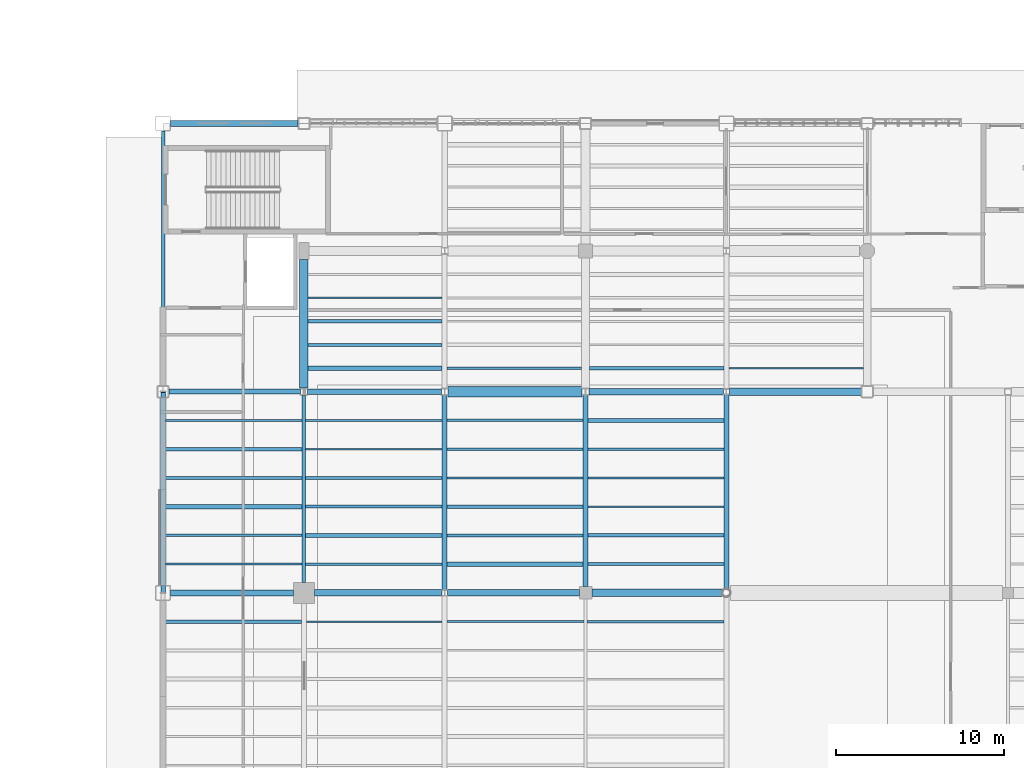
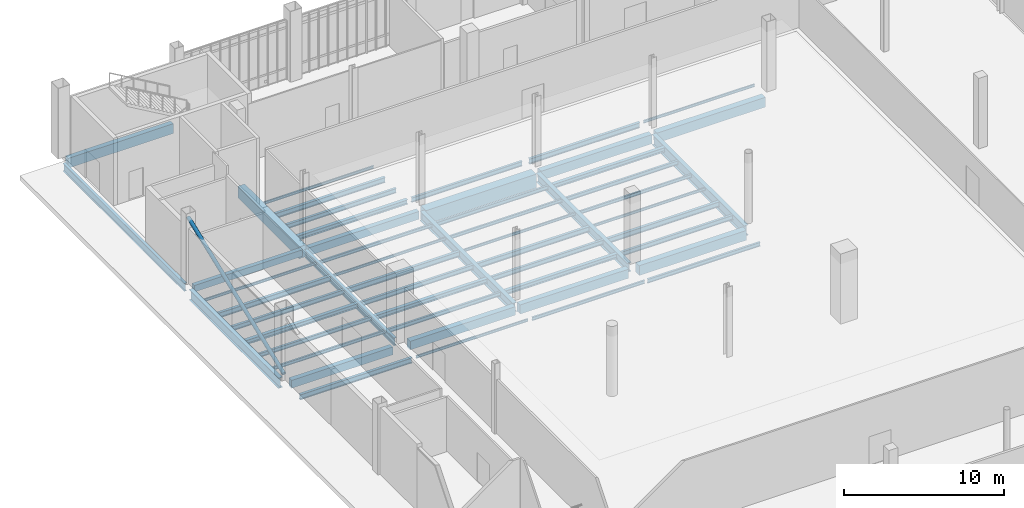
# One storey, part 24 of 111: 52 beams, 1 member.
"""IFC4 building model written with IfcOpenShell, lengths in metres."""

from ifc_helpers import new_model, si_unit, direction, frame, origin, origin_2d, place, context, subcontext, project, spatial, rectangle, hollow_circle, i_section, extrude, material, material_profile, profile_set, type_object, element, save


model = new_model("IFC4")

# Units and contexts
model_context = context("Model", 3, precision=1e-05, world=origin(), true_north=direction((0.0, 1.0)))
body_context = subcontext(model_context, "Body", "Model", "MODEL_VIEW")
ifc_project = project(units=[si_unit("LENGTHUNIT", "METRE"), si_unit("AREAUNIT", "SQUARE_METRE"), si_unit("VOLUMEUNIT", "CUBIC_METRE"), si_unit("PLANEANGLEUNIT", "RADIAN"), si_unit("MASSUNIT", "GRAM", prefix="KILO")], contexts=[model_context])

# Site, building, storey
site_placement = place(None, origin())
site = spatial("IfcSite", under=ifc_project, at=site_placement, CompositionType="ELEMENT")
building_placement = place(site_placement, origin())
building = spatial("IfcBuilding", under=site, at=building_placement, Name="Larkvane Passage Sports Hall", CompositionType="ELEMENT")
storey_placement = place(building_placement, origin())
storey = spatial("IfcBuildingStorey", under=building, at=storey_placement, Name="L00", CompositionType="ELEMENT", Elevation=0.0)

# Beams
ifc_material_1 = material(Name="Concrete C40/50", Category="concrete")
ifc_material_profile_1 = material_profile(ifc_material_1, rectangle(XDim=0.300048828125, YDim=0.5, at=origin_2d()), Name="RC-BM-300x500")
ifc_profile_set_1 = profile_set([ifc_material_profile_1], Name="Concrete C40/50")
beam_type_1 = type_object("IfcBeamType", Name="BM-RC-300x500", PredefinedType="BEAM", material=ifc_profile_set_1)
beam_1_placement = place(storey_placement, frame((35.14990234375, 75.60009765625, -0.669921875), z_axis=(1.0, 0.0, 0.0), x_axis=(0.0, 1.0, 0.0)))
element("IfcBeam", 1, at=beam_1_placement, inside=storey, type_object=beam_type_1, Name="Girder BM5-X-L00-J-0053", PredefinedType="BEAM", context=body_context, shape_type="SweptSolid", body=[
    extrude(rectangle(XDim=0.300048828125, YDim=0.5, at=origin_2d()), origin(), (0.0, 0.0, 1.0), 7.8466796875),
])
ifc_material_profile_2 = material_profile(ifc_material_1, rectangle(XDim=0.35009765625, YDim=0.60009765625, at=origin_2d()), Name="RC-BM-350x600")
ifc_profile_set_2 = profile_set([ifc_material_profile_2], Name="Concrete C40/50")
beam_type_2 = type_object("IfcBeamType", Name="BM-RC-350x600", PredefinedType="BEAM", material=ifc_profile_set_2)
beam_2_placement = place(storey_placement, frame((35.25, 63.60009765625, -0.719970703125), z_axis=(1.0, 0.0, 0.0), x_axis=(0.0, 1.0, 0.0)))
element("IfcBeam", 2, at=beam_2_placement, inside=storey, type_object=beam_type_2, Name="Girder BM5-X-L00-H-0041", PredefinedType="BEAM", context=body_context, shape_type="SweptSolid", body=[
    extrude(rectangle(XDim=0.35009765625, YDim=0.60009765625, at=origin_2d()), origin(), (0.0, 0.0, 1.0), 7.324951171875),
])
beam_3_placement = place(storey_placement, frame((43.403564453125, 75.60009765625, -0.719970703125), z_axis=(1.0, 0.0, 0.0), x_axis=(0.0, 1.0, 0.0)))
element("IfcBeam", 3, at=beam_3_placement, inside=storey, type_object=beam_type_2, Name="Girder BM5-X-L00-J-0054", PredefinedType="BEAM", context=body_context, shape_type="SweptSolid", body=[
    extrude(rectangle(XDim=0.35009765625, YDim=0.60009765625, at=origin_2d()), origin(), (0.0, 0.0, 1.0), 7.993896484375),
])
ifc_material_profile_3 = material_profile(ifc_material_1, rectangle(XDim=0.39990234375, YDim=0.64990234375, at=origin_2d()), Name="RC-BM-400x650")
ifc_profile_set_3 = profile_set([ifc_material_profile_3], Name="Concrete C40/50")
beam_type_3 = type_object("IfcBeamType", Name="BM-RC-400x650", PredefinedType="BEAM", material=ifc_profile_set_3)
beam_4_placement = place(storey_placement, frame((43.824951171875, 63.60009765625, -0.7451171875), z_axis=(1.0, 0.0, 0.0), x_axis=(0.0, 1.0, 0.0)))
element("IfcBeam", 4, at=beam_4_placement, inside=storey, type_object=beam_type_3, Name="Girder BM5-X-L00-H-0042", PredefinedType="BEAM", context=body_context, shape_type="SweptSolid", body=[
    extrude(rectangle(XDim=0.39990234375, YDim=0.64990234375, at=origin_2d()), origin(), (0.0, 0.0, 1.0), 7.60009765625),
])
ifc_material_profile_4 = material_profile(ifc_material_1, rectangle(XDim=0.39990234375, YDim=0.699951171875, at=origin_2d()), Name="RC-BM-400x700")
ifc_profile_set_4 = profile_set([ifc_material_profile_4], Name="Concrete C40/50")
beam_type_4 = type_object("IfcBeamType", Name="BM-RC-400x700", PredefinedType="BEAM", material=ifc_profile_set_4)
beam_5_placement = place(storey_placement, frame((51.77490234375, 63.60009765625, -0.77001953125), z_axis=(1.0, 0.0, 0.0), x_axis=(0.0, 1.0, 0.0)))
element("IfcBeam", 5, at=beam_5_placement, inside=storey, type_object=beam_type_4, Name="Girder BM5-X-L00-H-0043", PredefinedType="BEAM", context=body_context, shape_type="SweptSolid", body=[
    extrude(rectangle(XDim=0.39990234375, YDim=0.699951171875, at=origin_2d()), origin(), (0.0, 0.0, 1.0), 7.85009765625),
])
beam_6_placement = place(storey_placement, frame((60.199951171875, 75.60009765625, -0.77001953125), z_axis=(1.0, 0.0, 0.0), x_axis=(0.0, 1.0, 0.0)))
element("IfcBeam", 6, at=beam_6_placement, inside=storey, type_object=beam_type_4, Name="Girder BM5-X-L00-J-0056", PredefinedType="BEAM", context=body_context, shape_type="SweptSolid", body=[
    extrude(rectangle(XDim=0.39990234375, YDim=0.699951171875, at=origin_2d()), origin(), (0.0, 0.0, 1.0), 8.025146484375),
])
ifc_material_profile_5 = material_profile(ifc_material_1, rectangle(XDim=0.449951171875, YDim=0.75, at=origin_2d()), Name="RC-BM-450x750")
ifc_profile_set_5 = profile_set([ifc_material_profile_5], Name="Concrete C40/50")
beam_type_5 = type_object("IfcBeamType", Name="BM-RC-450x750", PredefinedType="BEAM", material=ifc_profile_set_5)
beam_7_placement = place(storey_placement, frame((60.375, 63.60009765625, -0.794921875), z_axis=(1.0, 0.0, 0.0), x_axis=(0.0, 1.0, 0.0)))
element("IfcBeam", 7, at=beam_7_placement, inside=storey, type_object=beam_type_5, Name="Girder BM5-X-L00-H-0044", PredefinedType="BEAM", context=body_context, shape_type="SweptSolid", body=[
    extrude(rectangle(XDim=0.449951171875, YDim=0.75, at=origin_2d()), origin(), (0.0, 0.0, 1.0), 7.77099609375),
])
beam_8_placement = place(storey_placement, frame((68.574951171875, 75.60009765625, -0.794921875), z_axis=(1.0, 0.0, 0.0), x_axis=(0.0, 1.0, 0.0)))
element("IfcBeam", 8, at=beam_8_placement, inside=storey, type_object=beam_type_5, Name="Girder BM5-X-L00-J-0057", PredefinedType="BEAM", context=body_context, shape_type="SweptSolid", body=[
    extrude(rectangle(XDim=0.449951171875, YDim=0.75, at=origin_2d()), origin(), (0.0, 0.0, 1.0), 7.875),
])
ifc_material_profile_6 = material_profile(ifc_material_1, rectangle(XDim=0.5, YDim=0.89990234375, at=origin_2d()), Name="RC-BM-500x900")
ifc_profile_set_6 = profile_set([ifc_material_profile_6], Name="Concrete C40/50")
beam_type_6 = type_object("IfcBeamType", Name="BM-RC-500x900", PredefinedType="BEAM", material=ifc_profile_set_6)
beam_9_placement = place(storey_placement, frame((43.199951171875, 75.81396484375, -0.8701171875), z_axis=(0.0, 1.0, 0.0), x_axis=(-1.0, 0.0, 0.0)))
element("IfcBeam", 9, at=beam_9_placement, inside=storey, type_object=beam_type_6, Name="Girder BM5-Y-L00-7-0086", PredefinedType="BEAM", context=body_context, shape_type="SweptSolid", body=[
    extrude(rectangle(XDim=0.5, YDim=0.89990234375, at=origin_2d()), origin(), (0.0, 0.0, 1.0), 7.68603515625),
])
ifc_material_2 = material(Name="Steel S355JR", Category="steel")
ifc_material_profile_7 = material_profile(ifc_material_2, i_section(OverallWidth=0.199951171875, OverallDepth=0.60009765625, WebThickness=0.010986328125, FlangeThickness=0.01708984375, FilletRadius=0.01806640625, at=origin_2d()), Name="H-600x200x11x17")
ifc_profile_set_7 = profile_set([ifc_material_profile_7], Name="Steel S355JR")
beam_type_7 = type_object("IfcBeamType", Name="BM-STL-H600", PredefinedType="BEAM", material=ifc_profile_set_7)
beam_10_placement = place(storey_placement, frame((34.800048828125, 75.949951171875, -0.719970703125), z_axis=(0.0, 1.0, 0.0), x_axis=(-1.0, 0.0, 0.0)))
element("IfcBeam", 10, at=beam_10_placement, inside=storey, type_object=beam_type_7, Name="Girder BM5-Y-L00-6-0081", PredefinedType="BEAM", context=body_context, shape_type="SweptSolid", body=[
    extrude(i_section(OverallWidth=0.199951171875, OverallDepth=0.60009765625, WebThickness=0.010986328125, FlangeThickness=0.01708984375, FilletRadius=0.01806640625, at=origin_2d()), origin(), (0.0, 0.0, 1.0), 15.199951171875),
])
beam_11_placement = place(storey_placement, frame((43.199951171875, 64.22509765625, -0.719970703125), z_axis=(0.0, 1.0, 0.0), x_axis=(-1.0, 0.0, 0.0)))
element("IfcBeam", 11, at=beam_11_placement, inside=storey, type_object=beam_type_7, Name="Girder BM5-Y-L00-7-0085", PredefinedType="BEAM", context=body_context, shape_type="SweptSolid", body=[
    extrude(i_section(OverallWidth=0.199951171875, OverallDepth=0.60009765625, WebThickness=0.010986328125, FlangeThickness=0.01708984375, FilletRadius=0.01806640625, at=origin_2d()), origin(), (0.0, 0.0, 1.0), 11.160888671875),
])
ifc_material_3 = material(Name="Steel S460N", Category="steel")
ifc_material_profile_8 = material_profile(ifc_material_3, i_section(OverallWidth=0.300048828125, OverallDepth=0.69189453125, WebThickness=0.012939453125, FlangeThickness=0.02001953125, FilletRadius=0.02197265625, at=origin_2d()), Name="H-692x300x13x20")
ifc_profile_set_8 = profile_set([ifc_material_profile_8], Name="Steel S460N")
beam_type_8 = type_object("IfcBeamType", Name="BM-STL-H692", PredefinedType="BEAM", material=ifc_profile_set_8)
beam_12_placement = place(storey_placement, frame((60.0, 63.97509765625, -0.76611328125), z_axis=(0.0, 1.0, 0.0), x_axis=(-1.0, 0.0, 0.0)))
element("IfcBeam", 12, at=beam_12_placement, inside=storey, type_object=beam_type_8, Name="Girder BM5-Y-L00-9-0098", PredefinedType="BEAM", context=body_context, shape_type="SweptSolid", body=[
    extrude(i_section(OverallWidth=0.300048828125, OverallDepth=0.69189453125, WebThickness=0.012939453125, FlangeThickness=0.02001953125, FilletRadius=0.02197265625, at=origin_2d()), origin(), (0.0, 0.0, 1.0), 11.4248046875),
])
ifc_material_profile_9 = material_profile(ifc_material_3, i_section(OverallWidth=0.300048828125, OverallDepth=0.699951171875, WebThickness=0.012939453125, FlangeThickness=0.02392578125, FilletRadius=0.02197265625, at=origin_2d()), Name="H-700x300x13x24")
ifc_profile_set_9 = profile_set([ifc_material_profile_9], Name="Steel S460N")
beam_type_9 = type_object("IfcBeamType", Name="BM-STL-H700", PredefinedType="BEAM", material=ifc_profile_set_9)
beam_13_placement = place(storey_placement, frame((51.60009765625, 63.77490234375, -0.77001953125), z_axis=(0.0, 1.0, 0.0), x_axis=(-1.0, 0.0, 0.0)))
element("IfcBeam", 13, at=beam_13_placement, inside=storey, type_object=beam_type_9, Name="Girder BM5-Y-L00-8-0091", PredefinedType="BEAM", context=body_context, shape_type="SweptSolid", body=[
    extrude(i_section(OverallWidth=0.300048828125, OverallDepth=0.699951171875, WebThickness=0.012939453125, FlangeThickness=0.02392578125, FilletRadius=0.02197265625, at=origin_2d()), origin(), (0.0, 0.0, 1.0), 11.6181640625),
])
ifc_material_profile_10 = material_profile(ifc_material_3, i_section(OverallWidth=0.300048828125, OverallDepth=0.7919921875, WebThickness=0.013916015625, FlangeThickness=0.02197265625, FilletRadius=0.02197265625, at=origin_2d()), Name="H-792x300x14x22")
ifc_profile_set_10 = profile_set([ifc_material_profile_10], Name="Steel S460N")
beam_type_10 = type_object("IfcBeamType", Name="BM-STL-H792", PredefinedType="BEAM", material=ifc_profile_set_10)
beam_14_placement = place(storey_placement, frame((34.800048828125, 64.050048828125, -0.81591796875), z_axis=(0.0, 1.0, 0.0), x_axis=(-1.0, 0.0, 0.0)))
element("IfcBeam", 14, at=beam_14_placement, inside=storey, type_object=beam_type_10, Name="Girder BM5-Y-L00-6-0080", PredefinedType="BEAM", context=body_context, shape_type="SweptSolid", body=[
    extrude(i_section(OverallWidth=0.300048828125, OverallDepth=0.7919921875, WebThickness=0.013916015625, FlangeThickness=0.02197265625, FilletRadius=0.02197265625, at=origin_2d()), origin(), (0.0, 0.0, 1.0), 11.199951171875),
])
beam_15_placement = place(storey_placement, frame((68.39990234375, 63.85400390625, -0.81591796875), z_axis=(0.0, 1.0, 0.0), x_axis=(-1.0, 0.0, 0.0)))
element("IfcBeam", 15, at=beam_15_placement, inside=storey, type_object=beam_type_10, Name="Girder BM5-Y-L00-10-0104", PredefinedType="BEAM", context=body_context, shape_type="SweptSolid", body=[
    extrude(i_section(OverallWidth=0.300048828125, OverallDepth=0.7919921875, WebThickness=0.013916015625, FlangeThickness=0.02197265625, FilletRadius=0.02197265625, at=origin_2d()), origin(), (0.0, 0.0, 1.0), 11.571044921875),
])
ifc_material_profile_11 = material_profile(ifc_material_2, i_section(OverallWidth=0.10009765625, OverallDepth=0.199951171875, WebThickness=0.005615234375, FlangeThickness=0.008056640625, FilletRadius=0.008056640625, at=origin_2d()), Name="H-200x100x5.5x8")
ifc_profile_set_11 = profile_set([ifc_material_profile_11], Name="Steel S355JR")
beam_type_11 = type_object("IfcBeamType", Name="JST-STL-H200", PredefinedType="JOIST", material=ifc_profile_set_11)
beam_16_placement = place(storey_placement, frame((34.949951171875, 73.8857421875, -0.52001953125), z_axis=(1.0, 0.0, 0.0), x_axis=(0.0, 1.0, 0.0)))
element("IfcBeam", 16, at=beam_16_placement, inside=storey, type_object=beam_type_11, Name="Composite joist L00 6/H-6", PredefinedType="JOIST", context=body_context, shape_type="SweptSolid", body=[
    extrude(i_section(OverallWidth=0.10009765625, OverallDepth=0.199951171875, WebThickness=0.005615234375, FlangeThickness=0.008056640625, FilletRadius=0.008056640625, at=origin_2d()), origin(), (0.0, 0.0, 1.0), 8.150146484375),
])
beam_17_placement = place(storey_placement, frame((43.35009765625, 61.8857421875, -0.52001953125), z_axis=(1.0, 0.0, 0.0), x_axis=(0.0, 1.0, 0.0)))
element("IfcBeam", 17, at=beam_17_placement, inside=storey, type_object=beam_type_11, Name="Composite joist L00 7/G-6", PredefinedType="JOIST", context=body_context, shape_type="SweptSolid", body=[
    extrude(i_section(OverallWidth=0.10009765625, OverallDepth=0.199951171875, WebThickness=0.005615234375, FlangeThickness=0.008056640625, FilletRadius=0.008056640625, at=origin_2d()), origin(), (0.0, 0.0, 1.0), 8.099853515625),
])
beam_18_placement = place(storey_placement, frame((43.300048828125, 72.17138671875, -0.52001953125), z_axis=(1.0, 0.0, 0.0), x_axis=(0.0, 1.0, 0.0)))
element("IfcBeam", 18, at=beam_18_placement, inside=storey, type_object=beam_type_11, Name="Composite joist L00 7/H-5", PredefinedType="JOIST", context=body_context, shape_type="SweptSolid", body=[
    extrude(i_section(OverallWidth=0.10009765625, OverallDepth=0.199951171875, WebThickness=0.005615234375, FlangeThickness=0.008056640625, FilletRadius=0.008056640625, at=origin_2d()), origin(), (0.0, 0.0, 1.0), 8.14990234375),
])
beam_19_placement = place(storey_placement, frame((43.449951171875, 81.199951171875, -0.52001953125), z_axis=(1.0, 0.0, 0.0), x_axis=(0.0, 1.0, 0.0)))
element("IfcBeam", 19, at=beam_19_placement, inside=storey, type_object=beam_type_11, Name="Composite joist L00 7/J-4", PredefinedType="JOIST", context=body_context, shape_type="SweptSolid", body=[
    extrude(i_section(OverallWidth=0.10009765625, OverallDepth=0.199951171875, WebThickness=0.005615234375, FlangeThickness=0.008056640625, FilletRadius=0.008056640625, at=origin_2d()), origin(), (0.0, 0.0, 1.0), 8.0),
])
for number, where, z_axis, x_axis, name in (
    (20, (51.75, 70.45703125, -0.52001953125), (1.0, 0.0, 0.0), (0.0, 1.0, 0.0), "Composite joist L00 8/H-4"),
    (21, (60.14990234375, 68.742919921875, -0.52001953125), (1.0, 0.0, 0.0), (0.0, 1.0, 0.0), "Composite joist L00 9/H-3"),
):
    element("IfcBeam", number, at=place(storey_placement, frame(where, z_axis=z_axis, x_axis=x_axis)), inside=storey, type_object=beam_type_11, Name=name, PredefinedType="JOIST", context=body_context, shape_type="SweptSolid", body=[
        extrude(i_section(OverallWidth=0.10009765625, OverallDepth=0.199951171875, WebThickness=0.005615234375, FlangeThickness=0.008056640625, FilletRadius=0.008056640625, at=origin_2d()), origin(), (0.0, 0.0, 1.0), 8.10009765625),
    ])
beam_20_placement = place(storey_placement, frame((68.550048828125, 77.0, -0.52001953125), z_axis=(1.0, 0.0, 0.0), x_axis=(0.0, 1.0, 0.0)))
element("IfcBeam", 22, at=beam_20_placement, inside=storey, type_object=beam_type_11, Name="Composite joist L00 10/J-1", PredefinedType="JOIST", context=body_context, shape_type="SweptSolid", body=[
    extrude(i_section(OverallWidth=0.10009765625, OverallDepth=0.199951171875, WebThickness=0.005615234375, FlangeThickness=0.008056640625, FilletRadius=0.008056640625, at=origin_2d()), origin(), (0.0, 0.0, 1.0), 8.02490234375),
])
ifc_material_profile_12 = material_profile(ifc_material_2, i_section(OverallWidth=0.125, OverallDepth=0.25, WebThickness=0.006103515625, FlangeThickness=0.009033203125, FilletRadius=0.008056640625, at=origin_2d()), Name="H-250x125x6x9")
ifc_profile_set_12 = profile_set([ifc_material_profile_12], Name="Steel S355JR")
beam_type_12 = type_object("IfcBeamType", Name="JST-STL-H250", PredefinedType="JOIST", material=ifc_profile_set_12)
beam_21_placement = place(storey_placement, frame((34.949951171875, 65.314208984375, -0.544921875), z_axis=(1.0, 0.0, 0.0), x_axis=(0.0, 1.0, 0.0)))
element("IfcBeam", 23, at=beam_21_placement, inside=storey, type_object=beam_type_12, Name="Composite joist L00 6/H-1", PredefinedType="JOIST", context=body_context, shape_type="SweptSolid", body=[
    extrude(i_section(OverallWidth=0.125, OverallDepth=0.25, WebThickness=0.006103515625, FlangeThickness=0.009033203125, FilletRadius=0.008056640625, at=origin_2d()), origin(), (0.0, 0.0, 1.0), 8.150146484375),
])
for number, where, z_axis, x_axis, name in (
    (24, (43.300048828125, 73.8857421875, -0.544921875), (1.0, 0.0, 0.0), (0.0, 1.0, 0.0), "Composite joist L00 7/H-6"),
    (25, (51.75, 61.8857421875, -0.544921875), (1.0, 0.0, 0.0), (0.0, 1.0, 0.0), "Composite joist L00 8/G-6"),
):
    element("IfcBeam", number, at=place(storey_placement, frame(where, z_axis=z_axis, x_axis=x_axis)), inside=storey, type_object=beam_type_12, Name=name, PredefinedType="JOIST", context=body_context, shape_type="SweptSolid", body=[
        extrude(i_section(OverallWidth=0.125, OverallDepth=0.25, WebThickness=0.006103515625, FlangeThickness=0.009033203125, FilletRadius=0.008056640625, at=origin_2d()), origin(), (0.0, 0.0, 1.0), 8.14990234375),
    ])
for number, where, z_axis, x_axis, name in (
    (26, (51.75, 72.17138671875, -0.544921875), (1.0, 0.0, 0.0), (0.0, 1.0, 0.0), "Composite joist L00 8/H-5"),
    (27, (60.14990234375, 70.45703125, -0.544921875), (1.0, 0.0, 0.0), (0.0, 1.0, 0.0), "Composite joist L00 9/H-4"),
):
    element("IfcBeam", number, at=place(storey_placement, frame(where, z_axis=z_axis, x_axis=x_axis)), inside=storey, type_object=beam_type_12, Name=name, PredefinedType="JOIST", context=body_context, shape_type="SweptSolid", body=[
        extrude(i_section(OverallWidth=0.125, OverallDepth=0.25, WebThickness=0.006103515625, FlangeThickness=0.009033203125, FilletRadius=0.008056640625, at=origin_2d()), origin(), (0.0, 0.0, 1.0), 8.10009765625),
    ])
ifc_material_profile_13 = material_profile(ifc_material_2, i_section(OverallWidth=0.14990234375, OverallDepth=0.300048828125, WebThickness=0.006591796875, FlangeThickness=0.009033203125, FilletRadius=0.012939453125, at=origin_2d()), Name="H-300x150x6.5x9")
ifc_profile_set_13 = profile_set([ifc_material_profile_13], Name="Steel S355JR")
beam_type_13 = type_object("IfcBeamType", Name="JST-STL-H300", PredefinedType="JOIST", material=ifc_profile_set_13)
beam_22_placement = place(storey_placement, frame((34.949951171875, 67.028564453125, -0.570068359375), z_axis=(1.0, 0.0, 0.0), x_axis=(0.0, 1.0, 0.0)))
element("IfcBeam", 28, at=beam_22_placement, inside=storey, type_object=beam_type_13, Name="Composite joist L00 6/H-2", PredefinedType="JOIST", context=body_context, shape_type="SweptSolid", body=[
    extrude(i_section(OverallWidth=0.14990234375, OverallDepth=0.300048828125, WebThickness=0.006591796875, FlangeThickness=0.009033203125, FilletRadius=0.012939453125, at=origin_2d()), origin(), (0.0, 0.0, 1.0), 8.150146484375),
])
beam_23_placement = place(storey_placement, frame((43.300048828125, 65.314208984375, -0.570068359375), z_axis=(1.0, 0.0, 0.0), x_axis=(0.0, 1.0, 0.0)))
element("IfcBeam", 29, at=beam_23_placement, inside=storey, type_object=beam_type_13, Name="Composite joist L00 7/H-1", PredefinedType="JOIST", context=body_context, shape_type="SweptSolid", body=[
    extrude(i_section(OverallWidth=0.14990234375, OverallDepth=0.300048828125, WebThickness=0.006591796875, FlangeThickness=0.009033203125, FilletRadius=0.012939453125, at=origin_2d()), origin(), (0.0, 0.0, 1.0), 8.14990234375),
])
beam_24_placement = place(storey_placement, frame((51.75, 73.8857421875, -0.570068359375), z_axis=(1.0, 0.0, 0.0), x_axis=(0.0, 1.0, 0.0)))
element("IfcBeam", 30, at=beam_24_placement, inside=storey, type_object=beam_type_13, Name="Composite joist L00 8/H-6", PredefinedType="JOIST", context=body_context, shape_type="SweptSolid", body=[
    extrude(i_section(OverallWidth=0.14990234375, OverallDepth=0.300048828125, WebThickness=0.006591796875, FlangeThickness=0.009033203125, FilletRadius=0.012939453125, at=origin_2d()), origin(), (0.0, 0.0, 1.0), 8.10009765625),
])
beam_25_placement = place(storey_placement, frame((60.10009765625, 61.8857421875, -0.570068359375), z_axis=(1.0, 0.0, 0.0), x_axis=(0.0, 1.0, 0.0)))
element("IfcBeam", 31, at=beam_25_placement, inside=storey, type_object=beam_type_13, Name="Composite joist L00 9/G-6", PredefinedType="JOIST", context=body_context, shape_type="SweptSolid", body=[
    extrude(i_section(OverallWidth=0.14990234375, OverallDepth=0.300048828125, WebThickness=0.006591796875, FlangeThickness=0.009033203125, FilletRadius=0.012939453125, at=origin_2d()), origin(), (0.0, 0.0, 1.0), 8.14990234375),
])
beam_26_placement = place(storey_placement, frame((60.14990234375, 72.17138671875, -0.570068359375), z_axis=(1.0, 0.0, 0.0), x_axis=(0.0, 1.0, 0.0)))
element("IfcBeam", 32, at=beam_26_placement, inside=storey, type_object=beam_type_13, Name="Composite joist L00 9/H-5", PredefinedType="JOIST", context=body_context, shape_type="SweptSolid", body=[
    extrude(i_section(OverallWidth=0.14990234375, OverallDepth=0.300048828125, WebThickness=0.006591796875, FlangeThickness=0.009033203125, FilletRadius=0.012939453125, at=origin_2d()), origin(), (0.0, 0.0, 1.0), 8.10009765625),
])
ifc_material_profile_14 = material_profile(ifc_material_2, i_section(OverallWidth=0.25, OverallDepth=0.340087890625, WebThickness=0.009033203125, FlangeThickness=0.013916015625, FilletRadius=0.012939453125, at=origin_2d()), Name="H-340x250x9x14")
ifc_profile_set_14 = profile_set([ifc_material_profile_14], Name="Steel S355JR")
beam_type_14 = type_object("IfcBeamType", Name="JST-STL-H340", PredefinedType="JOIST", material=ifc_profile_set_14)
beam_27_placement = place(storey_placement, frame((34.949951171875, 68.742919921875, -0.590087890625), z_axis=(1.0, 0.0, 0.0), x_axis=(0.0, 1.0, 0.0)))
element("IfcBeam", 33, at=beam_27_placement, inside=storey, type_object=beam_type_14, Name="Composite joist L00 6/H-3", PredefinedType="JOIST", context=body_context, shape_type="SweptSolid", body=[
    extrude(i_section(OverallWidth=0.25, OverallDepth=0.340087890625, WebThickness=0.009033203125, FlangeThickness=0.013916015625, FilletRadius=0.012939453125, at=origin_2d()), origin(), (0.0, 0.0, 1.0), 8.150146484375),
])
beam_28_placement = place(storey_placement, frame((43.300048828125, 67.028564453125, -0.590087890625), z_axis=(1.0, 0.0, 0.0), x_axis=(0.0, 1.0, 0.0)))
element("IfcBeam", 34, at=beam_28_placement, inside=storey, type_object=beam_type_14, Name="Composite joist L00 7/H-2", PredefinedType="JOIST", context=body_context, shape_type="SweptSolid", body=[
    extrude(i_section(OverallWidth=0.25, OverallDepth=0.340087890625, WebThickness=0.009033203125, FlangeThickness=0.013916015625, FilletRadius=0.012939453125, at=origin_2d()), origin(), (0.0, 0.0, 1.0), 8.14990234375),
])
beam_29_placement = place(storey_placement, frame((43.449951171875, 77.0, -0.590087890625), z_axis=(1.0, 0.0, 0.0), x_axis=(0.0, 1.0, 0.0)))
element("IfcBeam", 35, at=beam_29_placement, inside=storey, type_object=beam_type_14, Name="Composite joist L00 7/J-1", PredefinedType="JOIST", context=body_context, shape_type="SweptSolid", body=[
    extrude(i_section(OverallWidth=0.25, OverallDepth=0.340087890625, WebThickness=0.009033203125, FlangeThickness=0.013916015625, FilletRadius=0.012939453125, at=origin_2d()), origin(), (0.0, 0.0, 1.0), 8.0),
])
for number, where, z_axis, x_axis, name in (
    (36, (51.75, 65.314208984375, -0.590087890625), (1.0, 0.0, 0.0), (0.0, 1.0, 0.0), "Composite joist L00 8/H-1"),
    (37, (60.14990234375, 73.8857421875, -0.590087890625), (1.0, 0.0, 0.0), (0.0, 1.0, 0.0), "Composite joist L00 9/H-6"),
):
    element("IfcBeam", number, at=place(storey_placement, frame(where, z_axis=z_axis, x_axis=x_axis)), inside=storey, type_object=beam_type_14, Name=name, PredefinedType="JOIST", context=body_context, shape_type="SweptSolid", body=[
        extrude(i_section(OverallWidth=0.25, OverallDepth=0.340087890625, WebThickness=0.009033203125, FlangeThickness=0.013916015625, FilletRadius=0.012939453125, at=origin_2d()), origin(), (0.0, 0.0, 1.0), 8.10009765625),
    ])
ifc_material_profile_15 = material_profile(ifc_material_2, i_section(OverallWidth=0.175048828125, OverallDepth=0.35009765625, WebThickness=0.007080078125, FlangeThickness=0.010986328125, FilletRadius=0.012939453125, at=origin_2d()), Name="H-350x175x7x11")
ifc_profile_set_15 = profile_set([ifc_material_profile_15], Name="Steel S355JR")
beam_type_15 = type_object("IfcBeamType", Name="JST-STL-H350", PredefinedType="JOIST", material=ifc_profile_set_15)
beam_30_placement = place(storey_placement, frame((34.949951171875, 70.45703125, -0.594970703125), z_axis=(1.0, 0.0, 0.0), x_axis=(0.0, 1.0, 0.0)))
element("IfcBeam", 38, at=beam_30_placement, inside=storey, type_object=beam_type_15, Name="Composite joist L00 6/H-4", PredefinedType="JOIST", context=body_context, shape_type="SweptSolid", body=[
    extrude(i_section(OverallWidth=0.175048828125, OverallDepth=0.35009765625, WebThickness=0.007080078125, FlangeThickness=0.010986328125, FilletRadius=0.012939453125, at=origin_2d()), origin(), (0.0, 0.0, 1.0), 8.150146484375),
])
beam_31_placement = place(storey_placement, frame((43.300048828125, 68.742919921875, -0.594970703125), z_axis=(1.0, 0.0, 0.0), x_axis=(0.0, 1.0, 0.0)))
element("IfcBeam", 39, at=beam_31_placement, inside=storey, type_object=beam_type_15, Name="Composite joist L00 7/H-3", PredefinedType="JOIST", context=body_context, shape_type="SweptSolid", body=[
    extrude(i_section(OverallWidth=0.175048828125, OverallDepth=0.35009765625, WebThickness=0.007080078125, FlangeThickness=0.010986328125, FilletRadius=0.012939453125, at=origin_2d()), origin(), (0.0, 0.0, 1.0), 8.14990234375),
])
beam_32_placement = place(storey_placement, frame((43.449951171875, 78.39990234375, -0.594970703125), z_axis=(1.0, 0.0, 0.0), x_axis=(0.0, 1.0, 0.0)))
element("IfcBeam", 40, at=beam_32_placement, inside=storey, type_object=beam_type_15, Name="Composite joist L00 7/J-2", PredefinedType="JOIST", context=body_context, shape_type="SweptSolid", body=[
    extrude(i_section(OverallWidth=0.175048828125, OverallDepth=0.35009765625, WebThickness=0.007080078125, FlangeThickness=0.010986328125, FilletRadius=0.012939453125, at=origin_2d()), origin(), (0.0, 0.0, 1.0), 8.0),
])
beam_33_placement = place(storey_placement, frame((51.75, 67.028564453125, -0.594970703125), z_axis=(1.0, 0.0, 0.0), x_axis=(0.0, 1.0, 0.0)))
element("IfcBeam", 41, at=beam_33_placement, inside=storey, type_object=beam_type_15, Name="Composite joist L00 8/H-2", PredefinedType="JOIST", context=body_context, shape_type="SweptSolid", body=[
    extrude(i_section(OverallWidth=0.175048828125, OverallDepth=0.35009765625, WebThickness=0.007080078125, FlangeThickness=0.010986328125, FilletRadius=0.012939453125, at=origin_2d()), origin(), (0.0, 0.0, 1.0), 8.10009765625),
])
beam_34_placement = place(storey_placement, frame((51.75, 77.0, -0.594970703125), z_axis=(1.0, 0.0, 0.0), x_axis=(0.0, 1.0, 0.0)))
element("IfcBeam", 42, at=beam_34_placement, inside=storey, type_object=beam_type_15, Name="Composite joist L00 8/J-1", PredefinedType="JOIST", context=body_context, shape_type="SweptSolid", body=[
    extrude(i_section(OverallWidth=0.175048828125, OverallDepth=0.35009765625, WebThickness=0.007080078125, FlangeThickness=0.010986328125, FilletRadius=0.012939453125, at=origin_2d()), origin(), (0.0, 0.0, 1.0), 8.0),
])
beam_35_placement = place(storey_placement, frame((60.14990234375, 65.314208984375, -0.594970703125), z_axis=(1.0, 0.0, 0.0), x_axis=(0.0, 1.0, 0.0)))
element("IfcBeam", 43, at=beam_35_placement, inside=storey, type_object=beam_type_15, Name="Composite joist L00 9/H-1", PredefinedType="JOIST", context=body_context, shape_type="SweptSolid", body=[
    extrude(i_section(OverallWidth=0.175048828125, OverallDepth=0.35009765625, WebThickness=0.007080078125, FlangeThickness=0.010986328125, FilletRadius=0.012939453125, at=origin_2d()), origin(), (0.0, 0.0, 1.0), 8.10009765625),
])
ifc_material_profile_16 = material_profile(ifc_material_2, i_section(OverallWidth=0.199951171875, OverallDepth=0.39990234375, WebThickness=0.008056640625, FlangeThickness=0.012939453125, FilletRadius=0.012939453125, at=origin_2d()), Name="H-400x200x8x13")
ifc_profile_set_16 = profile_set([ifc_material_profile_16], Name="Steel S355JR")
beam_type_16 = type_object("IfcBeamType", Name="JST-STL-H400", PredefinedType="JOIST", material=ifc_profile_set_16)
beam_36_placement = place(storey_placement, frame((34.949951171875, 61.8857421875, -0.6201171875), z_axis=(1.0, 0.0, 0.0), x_axis=(0.0, 1.0, 0.0)))
element("IfcBeam", 44, at=beam_36_placement, inside=storey, type_object=beam_type_16, Name="Composite joist L00 6/G-6", PredefinedType="JOIST", context=body_context, shape_type="SweptSolid", body=[
    extrude(i_section(OverallWidth=0.199951171875, OverallDepth=0.39990234375, WebThickness=0.008056640625, FlangeThickness=0.012939453125, FilletRadius=0.012939453125, at=origin_2d()), origin(), (0.0, 0.0, 1.0), 8.10009765625),
])
beam_37_placement = place(storey_placement, frame((34.949951171875, 72.17138671875, -0.6201171875), z_axis=(1.0, 0.0, 0.0), x_axis=(0.0, 1.0, 0.0)))
element("IfcBeam", 45, at=beam_37_placement, inside=storey, type_object=beam_type_16, Name="Composite joist L00 6/H-5", PredefinedType="JOIST", context=body_context, shape_type="SweptSolid", body=[
    extrude(i_section(OverallWidth=0.199951171875, OverallDepth=0.39990234375, WebThickness=0.008056640625, FlangeThickness=0.012939453125, FilletRadius=0.012939453125, at=origin_2d()), origin(), (0.0, 0.0, 1.0), 8.150146484375),
])
beam_38_placement = place(storey_placement, frame((43.300048828125, 70.45703125, -0.6201171875), z_axis=(1.0, 0.0, 0.0), x_axis=(0.0, 1.0, 0.0)))
element("IfcBeam", 46, at=beam_38_placement, inside=storey, type_object=beam_type_16, Name="Composite joist L00 7/H-4", PredefinedType="JOIST", context=body_context, shape_type="SweptSolid", body=[
    extrude(i_section(OverallWidth=0.199951171875, OverallDepth=0.39990234375, WebThickness=0.008056640625, FlangeThickness=0.012939453125, FilletRadius=0.012939453125, at=origin_2d()), origin(), (0.0, 0.0, 1.0), 8.14990234375),
])
beam_39_placement = place(storey_placement, frame((43.449951171875, 79.800048828125, -0.6201171875), z_axis=(1.0, 0.0, 0.0), x_axis=(0.0, 1.0, 0.0)))
element("IfcBeam", 47, at=beam_39_placement, inside=storey, type_object=beam_type_16, Name="Composite joist L00 7/J-3", PredefinedType="JOIST", context=body_context, shape_type="SweptSolid", body=[
    extrude(i_section(OverallWidth=0.199951171875, OverallDepth=0.39990234375, WebThickness=0.008056640625, FlangeThickness=0.012939453125, FilletRadius=0.012939453125, at=origin_2d()), origin(), (0.0, 0.0, 1.0), 8.0),
])
for number, where, z_axis, x_axis, name in (
    (48, (51.75, 68.742919921875, -0.6201171875), (1.0, 0.0, 0.0), (0.0, 1.0, 0.0), "Composite joist L00 8/H-3"),
    (49, (60.14990234375, 67.028564453125, -0.6201171875), (1.0, 0.0, 0.0), (0.0, 1.0, 0.0), "Composite joist L00 9/H-2"),
):
    element("IfcBeam", number, at=place(storey_placement, frame(where, z_axis=z_axis, x_axis=x_axis)), inside=storey, type_object=beam_type_16, Name=name, PredefinedType="JOIST", context=body_context, shape_type="SweptSolid", body=[
        extrude(i_section(OverallWidth=0.199951171875, OverallDepth=0.39990234375, WebThickness=0.008056640625, FlangeThickness=0.012939453125, FilletRadius=0.012939453125, at=origin_2d()), origin(), (0.0, 0.0, 1.0), 8.10009765625),
    ])
beam_40_placement = place(storey_placement, frame((60.25, 77.0, -0.6201171875), z_axis=(1.0, 0.0, 0.0), x_axis=(0.0, 1.0, 0.0)))
element("IfcBeam", 50, at=beam_40_placement, inside=storey, type_object=beam_type_16, Name="Composite joist L00 9/J-1", PredefinedType="JOIST", context=body_context, shape_type="SweptSolid", body=[
    extrude(i_section(OverallWidth=0.199951171875, OverallDepth=0.39990234375, WebThickness=0.008056640625, FlangeThickness=0.012939453125, FilletRadius=0.012939453125, at=origin_2d()), origin(), (0.0, 0.0, 1.0), 8.0),
])

# Member
ifc_material_profile_17 = material_profile(ifc_material_2, hollow_circle(Radius=0.1337890625, WallThickness=0.00927734375, at=origin_2d()), Name="CHS-267.4x9.3")
ifc_profile_set_17 = profile_set([ifc_material_profile_17], Name="Steel S355JR")
member_type = type_object("IfcMemberType", Name="MBR-BR-CHS267", PredefinedType="BRACE", material=ifc_profile_set_17)
member_placement = place(storey_placement, frame((34.800048828125, 63.60009765625, 0.14990234375), z_axis=(0.0, 0.931123104416, 0.364705037561), x_axis=(-1.0, 0.0, 0.0)))
element("IfcMember", 51, at=member_placement, inside=storey, type_object=member_type, Name="Lateral frame brace L00-2", PredefinedType="BRACE", context=body_context, shape_type="SweptSolid", body=[
    extrude(hollow_circle(Radius=0.1337890625, WallThickness=0.00927734375, at=origin_2d()), origin(), (0.0, 0.0, 1.0), 12.8876953125),
])

# Beams
ifc_material_profile_18 = material_profile(ifc_material_1, rectangle(XDim=0.35009765625, YDim=0.75, at=origin_2d()), Name="RC-SP-350x750")
ifc_profile_set_18 = profile_set([ifc_material_profile_18], Name="Concrete C40/50")
beam_type_17 = type_object("IfcBeamType", Name="SP-RC-350x750", PredefinedType="SPANDREL", material=ifc_profile_set_18)
beam_41_placement = place(storey_placement, frame((35.25, 91.60009765625, -0.794921875), z_axis=(1.0, 0.0, 0.0), x_axis=(0.0, 1.0, 0.0)))
element("IfcBeam", 52, at=beam_41_placement, inside=storey, type_object=beam_type_17, Name="Girder BM5-X-L00-L-0065", PredefinedType="SPANDREL", context=body_context, shape_type="SweptSolid", body=[
    extrude(rectangle(XDim=0.35009765625, YDim=0.75, at=origin_2d()), origin(), (0.0, 0.0, 1.0), 7.60009765625),
])
ifc_material_4 = material(Name="Precast concrete C45/55", Category="concrete")
ifc_material_profile_19 = material_profile(ifc_material_4, rectangle(XDim=0.64990234375, YDim=1.050048828125, at=origin_2d()), Name="RC-TB-650x1050")
ifc_profile_set_19 = profile_set([ifc_material_profile_19], Name="Precast concrete C45/55")
beam_type_18 = type_object("IfcBeamType", Name="TB-RC-650x1050", PredefinedType="T_BEAM", material=ifc_profile_set_19)
beam_42_placement = place(storey_placement, frame((51.802490234375, 75.60009765625, -0.945068359375), z_axis=(1.0, 0.0, 0.0), x_axis=(0.0, 1.0, 0.0)))
element("IfcBeam", 53, at=beam_42_placement, inside=storey, type_object=beam_type_18, Name="Girder BM5-X-L00-J-0055", PredefinedType="T_BEAM", context=body_context, shape_type="SweptSolid", body=[
    extrude(rectangle(XDim=0.64990234375, YDim=1.050048828125, at=origin_2d()), origin(), (0.0, 0.0, 1.0), 7.99755859375),
])

save(model, "model.ifc")
